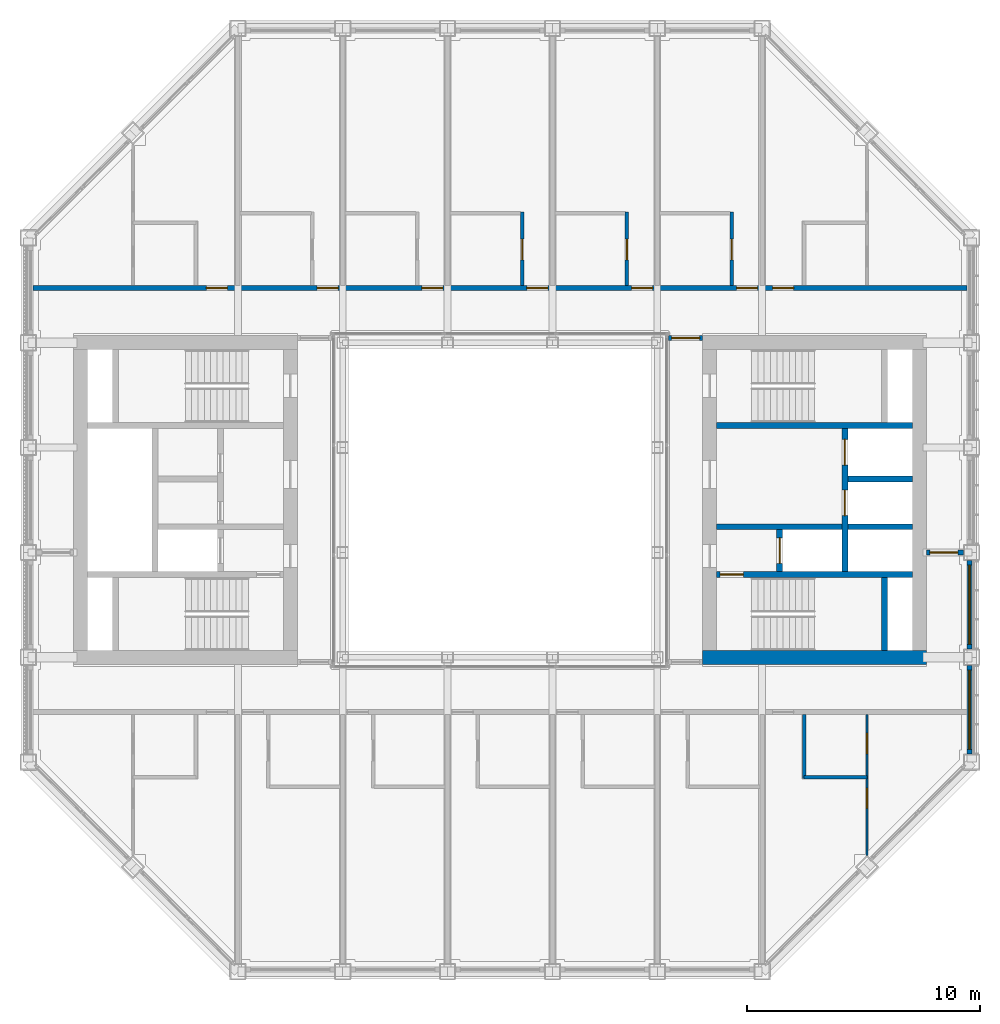
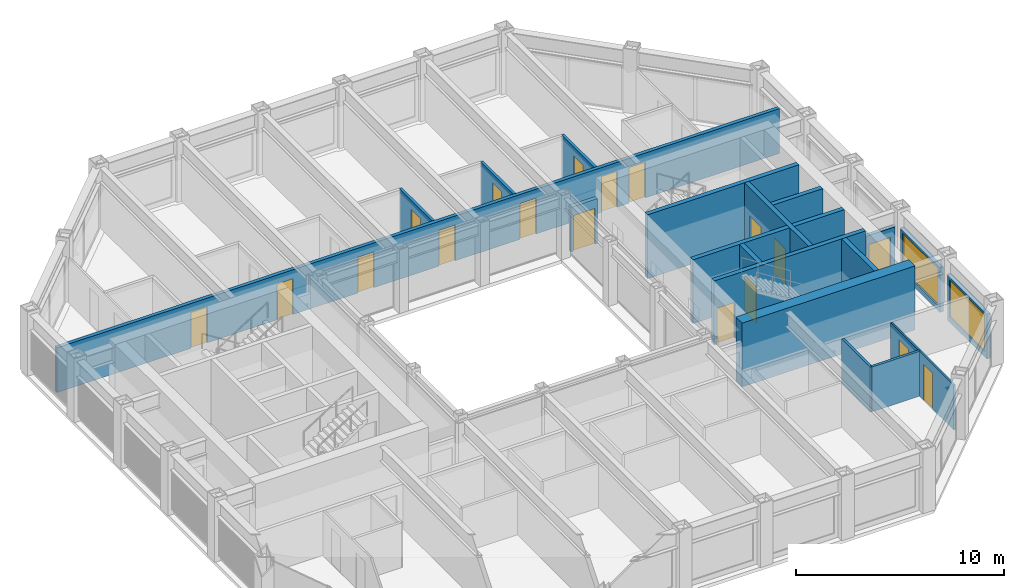
# One storey, part 11 of 18: 20 walls, 18 doors, 2 windows, 20 openings.
"""IFC4 building model written with IfcOpenShell, lengths in metres."""

from ifc_helpers import new_model, si_unit, direction, frame, frame_2d, origin, place, context, subcontext, project, spatial, rectangle, extrude, material, layer, layer_set, type_object, element, fill, save


model = new_model("IFC4")

# Units and contexts
model_context = context("Model", 3, precision=1e-05, world=origin(), true_north=direction((0.0, 1.0)))
body_context = subcontext(model_context, "Body", "Model", "MODEL_VIEW")
ifc_project = project(units=[si_unit("LENGTHUNIT", "METRE"), si_unit("AREAUNIT", "SQUARE_METRE"), si_unit("VOLUMEUNIT", "CUBIC_METRE"), si_unit("PLANEANGLEUNIT", "RADIAN"), si_unit("MASSUNIT", "GRAM", prefix="KILO")], contexts=[model_context])

# Site, building, storey
site_placement = place(None, origin())
site = spatial("IfcSite", under=ifc_project, at=site_placement, CompositionType="ELEMENT")
building_placement = place(site_placement, origin())
building = spatial("IfcBuilding", under=site, at=building_placement, Name="Msasa Ring Tower", CompositionType="ELEMENT")
storey_placement = place(building_placement, frame((0.0, 0.0, 204.550048828125)))
storey = spatial("IfcBuildingStorey", under=building, at=storey_placement, Name="L53", CompositionType="ELEMENT", Elevation=204.550048828125)

# Wall
ifc_material_1 = material(Name="Concrete C60/75", Category="concrete")
ifc_layer_1 = layer(ifc_material_1, 0.60009765625)
ifc_layer_set_1 = layer_set([ifc_layer_1], Name="CW3 CORE WALL 600")
wall_type_1 = type_object("IfcWallType", Name="CW3 CORE WALL 600", PredefinedType="SHEAR", material=ifc_layer_set_1)
wall_1_placement = place(storey_placement, frame((8.699951171875, -6.75, 0.0), z_axis=(0.0, 0.0, 1.0), x_axis=(1.0, 0.0, 0.0)))
element("IfcWall", 1, at=wall_1_placement, inside=storey, type_object=wall_type_1, Name="E core wall S L53", PredefinedType="SHEAR", context=body_context, shape_type="SweptSolid", body=[
    extrude(rectangle(XDim=9.60009765625, YDim=0.60009765625, at=frame_2d((4.800048828125, 0.0))), origin(), (0.0, 0.0, 1.0), 3.75),
])

# Wall, opening, door
ifc_material_2 = material(Name="Concrete C60/75", Category="concrete")
ifc_layer_2 = layer(ifc_material_2, 0.25)
ifc_layer_set_2 = layer_set([ifc_layer_2], Name="CW4 CORE INNER WALL 250")
wall_type_2 = type_object("IfcWallType", Name="CW4 CORE INNER WALL 250", PredefinedType="SHEAR", material=ifc_layer_set_2)
wall_2_placement = place(storey_placement, frame((9.300048828125, -3.199951171875, 0.0), z_axis=(0.0, 0.0, 1.0), x_axis=(1.0, 0.0, 0.0)))
wall_2 = element("IfcWall", 2, at=wall_2_placement, inside=storey, type_object=wall_type_2, Name="E core wall STAIRA L53", PredefinedType="SHEAR", context=body_context, shape_type="SweptSolid", body=[
    extrude(rectangle(XDim=8.39990234375, YDim=0.25, at=frame_2d((4.199951171875, 0.0))), origin(), (0.0, 0.0, 1.0), 3.75),
])
opening_1_placement = place(wall_2_placement, frame((0.14990234375, 0.0, 0.0)))
opening_1 = element("IfcOpeningElement", 3, at=opening_1_placement, cuts=wall_2, Name="Opening SA-030", PredefinedType="OPENING", context=body_context, shape_type="SweptSolid", body=[
    extrude(rectangle(XDim=1.0, YDim=2.10009765625, at=frame_2d((0.5, 1.050048828125))), frame((0.0, 0.135009765625, 0.0), z_axis=(0.0, -1.0, 0.0), x_axis=(1.0, 0.0, 0.0)), (0.0, 0.0, 1.0), 0.27001953125),
])
ifc_material_3 = material(Name="Timber door leaf in a steel frame", Category="steel")
door_type_1 = type_object("IfcDoorType", Name="D6 STAIR DOOR 1000x2100", OperationType="SINGLE_SWING_LEFT", PredefinedType="DOOR", material=ifc_material_3)
door_1_placement = place(opening_1_placement, origin())
door_1 = element("IfcDoor", 4, at=door_1_placement, inside=storey, type_object=door_type_1, Name="Door L53-ESTA", OperationType="SINGLE_SWING_LEFT", OverallHeight=2.10009765625, OverallWidth=1.0, PredefinedType="DOOR", context=body_context, shape_type="SweptSolid", body=[
    extrude(rectangle(XDim=1.0, YDim=2.10009765625, at=frame_2d((0.5, 1.050048828125))), frame((0.0, 0.02490234375, 0.0), z_axis=(0.0, -1.0, 0.0), x_axis=(1.0, 0.0, 0.0)), (0.0, 0.0, 1.0), 0.050048828125),
])
fill(opening_1, door_1)

# Walls
wall_3_placement = place(storey_placement, frame((9.300048828125, 3.199951171875, 0.0), z_axis=(0.0, 0.0, 1.0), x_axis=(1.0, 0.0, 0.0)))
element("IfcWall", 5, at=wall_3_placement, inside=storey, type_object=wall_type_2, Name="E core wall STAIRB L53", PredefinedType="SHEAR", context=body_context, shape_type="SweptSolid", body=[
    extrude(rectangle(XDim=8.39990234375, YDim=0.25, at=frame_2d((4.199951171875, 0.0))), origin(), (0.0, 0.0, 1.0), 3.75),
])
wall_4_placement = place(storey_placement, frame((16.5, -6.449951171875, 0.0), z_axis=(0.0, 0.0, 1.0), x_axis=(0.0, 1.0, 0.0)))
element("IfcWall", 6, at=wall_4_placement, inside=storey, type_object=wall_type_2, Name="E core wall RISERA L53", PredefinedType="SHEAR", context=body_context, shape_type="SweptSolid", body=[
    extrude(rectangle(XDim=3.125, YDim=0.25, at=frame_2d((1.5625, 0.0))), origin(), (0.0, 0.0, 1.0), 3.75),
])
wall_5_placement = place(storey_placement, frame((9.300048828125, -1.14990234375, 0.0), z_axis=(0.0, 0.0, 1.0), x_axis=(1.0, 0.0, 0.0)))
element("IfcWall", 7, at=wall_5_placement, inside=storey, type_object=wall_type_2, Name="E core wall FFL L53", PredefinedType="SHEAR", context=body_context, shape_type="SweptSolid", body=[
    extrude(rectangle(XDim=5.375, YDim=0.25, at=frame_2d((2.6875, 0.0))), origin(), (0.0, 0.0, 1.0), 3.75),
])

# Wall, opening, door
wall_6_placement = place(storey_placement, frame((12.0, -3.074951171875, 0.0), z_axis=(0.0, 0.0, 1.0), x_axis=(0.0, 1.0, 0.0)))
wall_6 = element("IfcWall", 8, at=wall_6_placement, inside=storey, type_object=wall_type_2, Name="E core wall LOBBY L53", PredefinedType="SHEAR", context=body_context, shape_type="SweptSolid", body=[
    extrude(rectangle(XDim=1.800048828125, YDim=0.25, at=frame_2d((0.89990234375, 0.0))), origin(), (0.0, 0.0, 1.0), 3.75),
])
opening_2_placement = place(wall_6_placement, frame((0.35009765625, 0.0, 0.0)))
opening_2 = element("IfcOpeningElement", 9, at=opening_2_placement, cuts=wall_6, Name="Opening LD1", PredefinedType="OPENING", context=body_context, shape_type="SweptSolid", body=[
    extrude(rectangle(XDim=1.10009765625, YDim=2.10009765625, at=frame_2d((0.550048828125, 1.050048828125))), frame((0.0, 0.135009765625, 0.0), z_axis=(0.0, -1.0, 0.0), x_axis=(1.0, 0.0, 0.0)), (0.0, 0.0, 1.0), 0.27001953125),
])
ifc_material_4 = material(Name="Stainless steel lift landing door", Category="steel")
door_type_2 = type_object("IfcDoorType", Name="LD1 LIFT LANDING DOOR 1100x2100", OperationType="DOUBLE_DOOR_SLIDING", PredefinedType="DOOR", material=ifc_material_4)
door_2_placement = place(opening_2_placement, origin())
door_2 = element("IfcDoor", 10, at=door_2_placement, inside=storey, type_object=door_type_2, Name="Lift landing door FL-E L53", OperationType="DOUBLE_DOOR_SLIDING", OverallHeight=2.10009765625, OverallWidth=1.10009765625, PredefinedType="DOOR", context=body_context, shape_type="SweptSolid", body=[
    extrude(rectangle(XDim=1.10009765625, YDim=2.10009765625, at=frame_2d((0.550048828125, 1.050048828125))), frame((0.0, 0.02490234375, 0.0), z_axis=(0.0, -1.0, 0.0), x_axis=(1.0, 0.0, 0.0)), (0.0, 0.0, 1.0), 0.050048828125),
])
fill(opening_2, door_2)

# Wall, openings, doors
wall_7_placement = place(storey_placement, frame((14.800048828125, -3.074951171875, 0.0), z_axis=(0.0, 0.0, 1.0), x_axis=(0.0, 1.0, 0.0)))
wall_7 = element("IfcWall", 11, at=wall_7_placement, inside=storey, type_object=wall_type_2, Name="E core wall SHAFT L53", PredefinedType="SHEAR", context=body_context, shape_type="SweptSolid", body=[
    extrude(rectangle(XDim=6.14990234375, YDim=0.25, at=frame_2d((3.074951171875, 0.0))), origin(), (0.0, 0.0, 1.0), 3.75),
])
opening_3_placement = place(wall_7_placement, frame((2.39990234375, 0.0, 0.0)))
opening_3 = element("IfcOpeningElement", 12, at=opening_3_placement, cuts=wall_7, Name="Opening LD1", PredefinedType="OPENING", context=body_context, shape_type="SweptSolid", body=[
    extrude(rectangle(XDim=1.10009765625, YDim=2.10009765625, at=frame_2d((0.550048828125, 1.050048828125))), frame((0.0, 0.135009765625, 0.0), z_axis=(0.0, -1.0, 0.0), x_axis=(1.0, 0.0, 0.0)), (0.0, 0.0, 1.0), 0.27001953125),
])
opening_4_placement = place(wall_7_placement, frame((4.574951171875, 0.0, 0.0)))
opening_4 = element("IfcOpeningElement", 13, at=opening_4_placement, cuts=wall_7, Name="Opening LD1", PredefinedType="OPENING", context=body_context, shape_type="SweptSolid", body=[
    extrude(rectangle(XDim=1.10009765625, YDim=2.10009765625, at=frame_2d((0.550048828125, 1.050048828125))), frame((0.0, 0.135009765625, 0.0), z_axis=(0.0, -1.0, 0.0), x_axis=(1.0, 0.0, 0.0)), (0.0, 0.0, 1.0), 0.27001953125),
])
door_3_placement = place(opening_3_placement, origin())
door_3 = element("IfcDoor", 14, at=door_3_placement, inside=storey, type_object=door_type_2, Name="Lift landing door PL-H1 L53", OperationType="DOUBLE_DOOR_SLIDING", OverallHeight=2.10009765625, OverallWidth=1.10009765625, PredefinedType="DOOR", context=body_context, shape_type="SweptSolid", body=[
    extrude(rectangle(XDim=1.10009765625, YDim=2.10009765625, at=frame_2d((0.550048828125, 1.050048828125))), frame((0.0, 0.02490234375, 0.0), z_axis=(0.0, -1.0, 0.0), x_axis=(1.0, 0.0, 0.0)), (0.0, 0.0, 1.0), 0.050048828125),
])
fill(opening_3, door_3)
door_4_placement = place(opening_4_placement, origin())
door_4 = element("IfcDoor", 15, at=door_4_placement, inside=storey, type_object=door_type_2, Name="Lift landing door PL-H2 L53", OperationType="DOUBLE_DOOR_SLIDING", OverallHeight=2.10009765625, OverallWidth=1.10009765625, PredefinedType="DOOR", context=body_context, shape_type="SweptSolid", body=[
    extrude(rectangle(XDim=1.10009765625, YDim=2.10009765625, at=frame_2d((0.550048828125, 1.050048828125))), frame((0.0, 0.02490234375, 0.0), z_axis=(0.0, -1.0, 0.0), x_axis=(1.0, 0.0, 0.0)), (0.0, 0.0, 1.0), 0.050048828125),
])
fill(opening_4, door_4)

# Walls
for number, where, z_axis, x_axis, name in (
    (16, (14.925048828125, -1.14990234375, 0.0), (0.0, 0.0, 1.0), (1.0, 0.0, 0.0), "E core wall HSEP L53"),
    (17, (14.925048828125, 0.89990234375, 0.0), (0.0, 0.0, 1.0), (1.0, 0.0, 0.0), "E core wall HLIFT L53"),
):
    element("IfcWall", number, at=place(storey_placement, frame(where, z_axis=z_axis, x_axis=x_axis)), inside=storey, type_object=wall_type_2, Name=name, PredefinedType="SHEAR", context=body_context, shape_type="SweptSolid", body=[
        extrude(rectangle(XDim=2.77490234375, YDim=0.25, at=frame_2d((1.387451171875, 0.0))), origin(), (0.0, 0.0, 1.0), 3.75),
    ])

# Wall, opening, window
ifc_material_5 = material(Name="Terracotta rainscreen on blockwork", Category="masonry")
ifc_layer_3 = layer(ifc_material_5, 0.199951171875)
ifc_layer_set_3 = layer_set([ifc_layer_3], Name="FW1 TERRACOTTA-LINED INFILL BAY WALL 200")
wall_type_3 = type_object("IfcWallType", Name="FW1 TERRACOTTA-LINED INFILL BAY WALL 200", PredefinedType="SOLIDWALL", material=ifc_layer_set_3)
wall_8_placement = place(storey_placement, frame((20.14990234375, -10.89501953125, 0.0), z_axis=(0.0, 0.0, 1.0), x_axis=(0.0, 1.0, 0.0)))
wall_8 = element("IfcWall", 18, at=wall_8_placement, inside=storey, type_object=wall_type_3, Name="Infill bay wall E L53 07", PredefinedType="SOLIDWALL", context=body_context, shape_type="SweptSolid", body=[
    extrude(rectangle(XDim=3.7900390625, YDim=0.199951171875, at=frame_2d((1.89501953125, 0.0))), origin(), (0.0, 0.0, 1.0), 2.62890625),
])
opening_5_placement = place(wall_8_placement, frame((0.195068359375, 0.0, 0.300048828125)))
opening_5 = element("IfcOpeningElement", 19, at=opening_5_placement, cuts=wall_8, Name="Opening WN3", PredefinedType="OPENING", context=body_context, shape_type="SweptSolid", body=[
    extrude(rectangle(XDim=3.39990234375, YDim=2.178955078125, at=frame_2d((1.699951171875, 1.08935546875))), frame((0.0, 0.10986328125, 0.0), z_axis=(0.0, -1.0, 0.0), x_axis=(1.0, 0.0, 0.0)), (0.0, 0.0, 1.0), 0.219970703125),
])
ifc_material_6 = material(Name="Aluminium frame with clear glass", Category="aluminium")
window_type = type_object("IfcWindowType", Name="WN3 SUITE WINDOW 3400x2179", PartitioningType="SINGLE_PANEL", PredefinedType="WINDOW", material=ifc_material_6)
window_1_placement = place(opening_5_placement, origin())
window_1 = element("IfcWindow", 20, at=window_1_placement, inside=storey, type_object=window_type, Name="Window E L53 07", OverallHeight=2.178955078125, OverallWidth=3.39990234375, PartitioningType="SINGLE_PANEL", PredefinedType="WINDOW", context=body_context, shape_type="SweptSolid", body=[
    extrude(rectangle(XDim=3.39990234375, YDim=2.178955078125, at=frame_2d((1.699951171875, 1.08935546875))), frame((0.0, 0.030029296875, 0.0), z_axis=(0.0, -1.0, 0.0), x_axis=(1.0, 0.0, 0.0)), (0.0, 0.0, 1.0), 0.06005859375),
])
fill(opening_5, window_1)

wall_9_placement = place(storey_placement, frame((20.14990234375, -6.39501953125, 0.0), z_axis=(0.0, 0.0, 1.0), x_axis=(0.0, 1.0, 0.0)))
wall_9 = element("IfcWall", 21, at=wall_9_placement, inside=storey, type_object=wall_type_3, Name="Infill bay wall E L53 08", PredefinedType="SOLIDWALL", context=body_context, shape_type="SweptSolid", body=[
    extrude(rectangle(XDim=3.7900390625, YDim=0.199951171875, at=frame_2d((1.89501953125, 0.0))), origin(), (0.0, 0.0, 1.0), 2.62890625),
])
opening_6_placement = place(wall_9_placement, frame((0.195068359375, 0.0, 0.300048828125)))
opening_6 = element("IfcOpeningElement", 22, at=opening_6_placement, cuts=wall_9, Name="Opening WN3", PredefinedType="OPENING", context=body_context, shape_type="SweptSolid", body=[
    extrude(rectangle(XDim=3.39990234375, YDim=2.178955078125, at=frame_2d((1.699951171875, 1.08935546875))), frame((0.0, 0.10986328125, 0.0), z_axis=(0.0, -1.0, 0.0), x_axis=(1.0, 0.0, 0.0)), (0.0, 0.0, 1.0), 0.219970703125),
])
window_2_placement = place(opening_6_placement, origin())
window_2 = element("IfcWindow", 23, at=window_2_placement, inside=storey, type_object=window_type, Name="Window E L53 08", OverallHeight=2.178955078125, OverallWidth=3.39990234375, PartitioningType="SINGLE_PANEL", PredefinedType="WINDOW", context=body_context, shape_type="SweptSolid", body=[
    extrude(rectangle(XDim=3.39990234375, YDim=2.178955078125, at=frame_2d((1.699951171875, 1.08935546875))), frame((0.0, 0.030029296875, 0.0), z_axis=(0.0, -1.0, 0.0), x_axis=(1.0, 0.0, 0.0)), (0.0, 0.0, 1.0), 0.06005859375),
])
fill(opening_6, window_2)

# Wall, opening, door
ifc_material_7 = material(Name="Concrete blockwork", Category="masonry")
ifc_layer_4 = layer(ifc_material_7, 0.199951171875)
ifc_layer_set_4 = layer_set([ifc_layer_4], Name="PT1 CORRIDOR WALL 200")
wall_type_4 = type_object("IfcWallType", Name="PT1 CORRIDOR WALL 200", PredefinedType="PARTITIONING", material=ifc_layer_set_4)
wall_10_placement = place(storey_placement, frame((18.300048828125, -2.25, 0.0), z_axis=(0.0, 0.0, 1.0), x_axis=(1.0, 0.0, 0.0)))
wall_10 = element("IfcWall", 24, at=wall_10_placement, inside=storey, type_object=wall_type_4, Name="Corridor wall L53-WSE", PredefinedType="PARTITIONING", context=body_context, shape_type="SweptSolid", body=[
    extrude(rectangle(XDim=1.599853515625, YDim=0.199951171875, at=frame_2d((0.7998046875, 0.0))), origin(), (0.0, 0.0, 1.0), 2.62890625),
])
opening_7_placement = place(wall_10_placement, frame((0.14990234375, 0.0, 0.0)))
opening_7 = element("IfcOpeningElement", 25, at=opening_7_placement, cuts=wall_10, Name="Opening SA-026", PredefinedType="OPENING", context=body_context, shape_type="SweptSolid", body=[
    extrude(rectangle(XDim=1.199951171875, YDim=2.10009765625, at=frame_2d((0.60009765625, 1.050048828125))), frame((0.0, 0.10986328125, 0.0), z_axis=(0.0, -1.0, 0.0), x_axis=(1.0, 0.0, 0.0)), (0.0, 0.0, 1.0), 0.219970703125),
])
ifc_material_8 = material(Name="Timber door leaf in a steel frame", Category="steel")
door_type_3 = type_object("IfcDoorType", Name="D25 CORRIDOR PAIR OF SMOKE DOORS 1200x2100", OperationType="DOUBLE_DOOR_DOUBLE_SWING", PredefinedType="DOOR", material=ifc_material_8)
door_5_placement = place(opening_7_placement, origin())
door_5 = element("IfcDoor", 26, at=door_5_placement, inside=storey, type_object=door_type_3, Name="Door L53-WSE", OperationType="DOUBLE_DOOR_DOUBLE_SWING", OverallHeight=2.10009765625, OverallWidth=1.199951171875, PredefinedType="DOOR", context=body_context, shape_type="SweptSolid", body=[
    extrude(rectangle(XDim=1.199951171875, YDim=2.10009765625, at=frame_2d((0.60009765625, 1.050048828125))), frame((0.0, 0.02490234375, 0.0), z_axis=(0.0, -1.0, 0.0), x_axis=(1.0, 0.0, 0.0)), (0.0, 0.0, 1.0), 0.050048828125),
])
fill(opening_7, door_5)

wall_11_placement = place(storey_placement, frame((7.22998046875, 6.949951171875, 0.0), z_axis=(0.0, 0.0, 1.0), x_axis=(1.0, 0.0, 0.0)))
wall_11 = element("IfcWall", 27, at=wall_11_placement, inside=storey, type_object=wall_type_4, Name="Corridor wall L53-SDEN", PredefinedType="PARTITIONING", context=body_context, shape_type="SweptSolid", body=[
    extrude(rectangle(XDim=1.469970703125, YDim=0.199951171875, at=frame_2d((0.73486328125, 0.0))), origin(), (0.0, 0.0, 1.0), 2.62890625),
])
opening_8_placement = place(wall_11_placement, frame((0.135009765625, 0.0, 0.0)))
opening_8 = element("IfcOpeningElement", 28, at=opening_8_placement, cuts=wall_11, Name="Opening SA-018", PredefinedType="OPENING", context=body_context, shape_type="SweptSolid", body=[
    extrude(rectangle(XDim=1.199951171875, YDim=2.10009765625, at=frame_2d((0.60009765625, 1.050048828125))), frame((0.0, 0.10986328125, 0.0), z_axis=(0.0, -1.0, 0.0), x_axis=(1.0, 0.0, 0.0)), (0.0, 0.0, 1.0), 0.219970703125),
])
door_6_placement = place(opening_8_placement, origin())
door_6 = element("IfcDoor", 29, at=door_6_placement, inside=storey, type_object=door_type_3, Name="Door L53-SDEN", OperationType="DOUBLE_DOOR_DOUBLE_SWING", OverallHeight=2.10009765625, OverallWidth=1.199951171875, PredefinedType="DOOR", context=body_context, shape_type="SweptSolid", body=[
    extrude(rectangle(XDim=1.199951171875, YDim=2.10009765625, at=frame_2d((0.60009765625, 1.050048828125))), frame((0.0, 0.02490234375, 0.0), z_axis=(0.0, -1.0, 0.0), x_axis=(1.0, 0.0, 0.0)), (0.0, 0.0, 1.0), 0.050048828125),
])
fill(opening_8, door_6)

# Wall, openings, doors
wall_12_placement = place(storey_placement, frame((-20.050048828125, 9.10009765625, 0.0), z_axis=(0.0, 0.0, 1.0), x_axis=(1.0, 0.0, 0.0)))
wall_12 = element("IfcWall", 30, at=wall_12_placement, inside=storey, type_object=wall_type_4, Name="Corridor wall L53-CORRN0", PredefinedType="PARTITIONING", context=body_context, shape_type="SweptSolid", body=[
    extrude(rectangle(XDim=40.10009765625, YDim=0.199951171875, at=frame_2d((20.050048828125, 0.0))), origin(), (0.0, 0.0, 1.0), 2.62890625),
])
opening_9_placement = place(wall_12_placement, frame((12.199951171875, 0.0, 0.0)))
opening_9 = element("IfcOpeningElement", 31, at=opening_9_placement, cuts=wall_12, Name="Opening SA-011", PredefinedType="OPENING", context=body_context, shape_type="SweptSolid", body=[
    extrude(rectangle(XDim=0.89990234375, YDim=2.10009765625, at=frame_2d((0.449951171875, 1.050048828125))), frame((0.0, 0.10986328125, 0.0), z_axis=(0.0, -1.0, 0.0), x_axis=(1.0, 0.0, 0.0)), (0.0, 0.0, 1.0), 0.219970703125),
])
opening_10_placement = place(wall_12_placement, frame((16.699951171875, 0.0, 0.0)))
opening_10 = element("IfcOpeningElement", 32, at=opening_10_placement, cuts=wall_12, Name="Opening SA-012", PredefinedType="OPENING", context=body_context, shape_type="SweptSolid", body=[
    extrude(rectangle(XDim=0.89990234375, YDim=2.10009765625, at=frame_2d((0.449951171875, 1.050048828125))), frame((0.0, 0.10986328125, 0.0), z_axis=(0.0, -1.0, 0.0), x_axis=(1.0, 0.0, 0.0)), (0.0, 0.0, 1.0), 0.219970703125),
])
opening_11_placement = place(wall_12_placement, frame((21.199951171875, 0.0, 0.0)))
opening_11 = element("IfcOpeningElement", 33, at=opening_11_placement, cuts=wall_12, Name="Opening SA-013", PredefinedType="OPENING", context=body_context, shape_type="SweptSolid", body=[
    extrude(rectangle(XDim=0.89990234375, YDim=2.10009765625, at=frame_2d((0.449951171875, 1.050048828125))), frame((0.0, 0.10986328125, 0.0), z_axis=(0.0, -1.0, 0.0), x_axis=(1.0, 0.0, 0.0)), (0.0, 0.0, 1.0), 0.219970703125),
])
opening_12_placement = place(wall_12_placement, frame((25.699951171875, 0.0, 0.0)))
opening_12 = element("IfcOpeningElement", 34, at=opening_12_placement, cuts=wall_12, Name="Opening SA-014", PredefinedType="OPENING", context=body_context, shape_type="SweptSolid", body=[
    extrude(rectangle(XDim=0.89990234375, YDim=2.10009765625, at=frame_2d((0.449951171875, 1.050048828125))), frame((0.0, 0.10986328125, 0.0), z_axis=(0.0, -1.0, 0.0), x_axis=(1.0, 0.0, 0.0)), (0.0, 0.0, 1.0), 0.219970703125),
])
opening_13_placement = place(wall_12_placement, frame((30.199951171875, 0.0, 0.0)))
opening_13 = element("IfcOpeningElement", 35, at=opening_13_placement, cuts=wall_12, Name="Opening SA-015", PredefinedType="OPENING", context=body_context, shape_type="SweptSolid", body=[
    extrude(rectangle(XDim=0.89990234375, YDim=2.10009765625, at=frame_2d((0.449951171875, 1.050048828125))), frame((0.0, 0.10986328125, 0.0), z_axis=(0.0, -1.0, 0.0), x_axis=(1.0, 0.0, 0.0)), (0.0, 0.0, 1.0), 0.219970703125),
])
opening_14_placement = place(wall_12_placement, frame((31.75, 0.0, 0.0)))
opening_14 = element("IfcOpeningElement", 36, at=opening_14_placement, cuts=wall_12, Name="Opening SA-016", PredefinedType="OPENING", context=body_context, shape_type="SweptSolid", body=[
    extrude(rectangle(XDim=0.89990234375, YDim=2.10009765625, at=frame_2d((0.449951171875, 1.050048828125))), frame((0.0, 0.10986328125, 0.0), z_axis=(0.0, -1.0, 0.0), x_axis=(1.0, 0.0, 0.0)), (0.0, 0.0, 1.0), 0.219970703125),
])
opening_15_placement = place(wall_12_placement, frame((7.449951171875, 0.0, 0.0)))
opening_15 = element("IfcOpeningElement", 37, at=opening_15_placement, cuts=wall_12, Name="Opening SA-010", PredefinedType="OPENING", context=body_context, shape_type="SweptSolid", body=[
    extrude(rectangle(XDim=0.89990234375, YDim=2.10009765625, at=frame_2d((0.449951171875, 1.050048828125))), frame((0.0, 0.10986328125, 0.0), z_axis=(0.0, -1.0, 0.0), x_axis=(1.0, 0.0, 0.0)), (0.0, 0.0, 1.0), 0.219970703125),
])
ifc_material_9 = material(Name="Timber door leaf in a steel frame", Category="steel")
door_type_4 = type_object("IfcDoorType", Name="D1 SINGLE DOOR TO CORRIDOR 900x2100", OperationType="SINGLE_SWING_LEFT", PredefinedType="DOOR", material=ifc_material_9)
door_7_placement = place(opening_9_placement, origin())
door_7 = element("IfcDoor", 38, at=door_7_placement, inside=storey, type_object=door_type_4, Name="Door L53-JN00", OperationType="SINGLE_SWING_LEFT", OverallHeight=2.10009765625, OverallWidth=0.89990234375, PredefinedType="DOOR", context=body_context, shape_type="SweptSolid", body=[
    extrude(rectangle(XDim=0.89990234375, YDim=2.10009765625, at=frame_2d((0.449951171875, 1.050048828125))), frame((0.0, 0.02490234375, 0.0), z_axis=(0.0, -1.0, 0.0), x_axis=(1.0, 0.0, 0.0)), (0.0, 0.0, 1.0), 0.050048828125),
])
fill(opening_9, door_7)
door_8_placement = place(opening_10_placement, origin())
door_8 = element("IfcDoor", 39, at=door_8_placement, inside=storey, type_object=door_type_4, Name="Door L53-JN01", OperationType="SINGLE_SWING_LEFT", OverallHeight=2.10009765625, OverallWidth=0.89990234375, PredefinedType="DOOR", context=body_context, shape_type="SweptSolid", body=[
    extrude(rectangle(XDim=0.89990234375, YDim=2.10009765625, at=frame_2d((0.449951171875, 1.050048828125))), frame((0.0, 0.02490234375, 0.0), z_axis=(0.0, -1.0, 0.0), x_axis=(1.0, 0.0, 0.0)), (0.0, 0.0, 1.0), 0.050048828125),
])
fill(opening_10, door_8)
door_9_placement = place(opening_11_placement, origin())
door_9 = element("IfcDoor", 40, at=door_9_placement, inside=storey, type_object=door_type_4, Name="Door L53-JN02", OperationType="SINGLE_SWING_RIGHT", OverallHeight=2.10009765625, OverallWidth=0.89990234375, PredefinedType="DOOR", context=body_context, shape_type="SweptSolid", body=[
    extrude(rectangle(XDim=0.89990234375, YDim=2.10009765625, at=frame_2d((0.449951171875, 1.050048828125))), frame((0.0, 0.02490234375, 0.0), z_axis=(0.0, -1.0, 0.0), x_axis=(1.0, 0.0, 0.0)), (0.0, 0.0, 1.0), 0.050048828125),
])
fill(opening_11, door_9)
door_10_placement = place(opening_12_placement, origin())
door_10 = element("IfcDoor", 41, at=door_10_placement, inside=storey, type_object=door_type_4, Name="Door L53-JN03", OperationType="SINGLE_SWING_RIGHT", OverallHeight=2.10009765625, OverallWidth=0.89990234375, PredefinedType="DOOR", context=body_context, shape_type="SweptSolid", body=[
    extrude(rectangle(XDim=0.89990234375, YDim=2.10009765625, at=frame_2d((0.449951171875, 1.050048828125))), frame((0.0, 0.02490234375, 0.0), z_axis=(0.0, -1.0, 0.0), x_axis=(1.0, 0.0, 0.0)), (0.0, 0.0, 1.0), 0.050048828125),
])
fill(opening_12, door_10)
door_11_placement = place(opening_13_placement, origin())
door_11 = element("IfcDoor", 42, at=door_11_placement, inside=storey, type_object=door_type_4, Name="Door L53-JN04", OperationType="SINGLE_SWING_RIGHT", OverallHeight=2.10009765625, OverallWidth=0.89990234375, PredefinedType="DOOR", context=body_context, shape_type="SweptSolid", body=[
    extrude(rectangle(XDim=0.89990234375, YDim=2.10009765625, at=frame_2d((0.449951171875, 1.050048828125))), frame((0.0, 0.02490234375, 0.0), z_axis=(0.0, -1.0, 0.0), x_axis=(1.0, 0.0, 0.0)), (0.0, 0.0, 1.0), 0.050048828125),
])
fill(opening_13, door_11)
ifc_material_10 = material(Name="Timber door leaf in a steel frame", Category="steel")
door_type_5 = type_object("IfcDoorType", Name="D2 ENTRANCE DOOR 900x2100", OperationType="SINGLE_SWING_LEFT", PredefinedType="DOOR", material=ifc_material_10)
door_12_placement = place(opening_14_placement, origin())
door_12 = element("IfcDoor", 43, at=door_12_placement, inside=storey, type_object=door_type_5, Name="Door L53-CSNE", OperationType="SINGLE_SWING_RIGHT", OverallHeight=2.10009765625, OverallWidth=0.89990234375, PredefinedType="DOOR", context=body_context, shape_type="SweptSolid", body=[
    extrude(rectangle(XDim=0.89990234375, YDim=2.10009765625, at=frame_2d((0.449951171875, 1.050048828125))), frame((0.0, 0.02490234375, 0.0), z_axis=(0.0, -1.0, 0.0), x_axis=(1.0, 0.0, 0.0)), (0.0, 0.0, 1.0), 0.050048828125),
])
fill(opening_14, door_12)
door_13_placement = place(opening_15_placement, origin())
door_13 = element("IfcDoor", 44, at=door_13_placement, inside=storey, type_object=door_type_5, Name="Door L53-CSNW", OperationType="SINGLE_SWING_LEFT", OverallHeight=2.10009765625, OverallWidth=0.89990234375, PredefinedType="DOOR", context=body_context, shape_type="SweptSolid", body=[
    extrude(rectangle(XDim=0.89990234375, YDim=2.10009765625, at=frame_2d((0.449951171875, 1.050048828125))), frame((0.0, 0.02490234375, 0.0), z_axis=(0.0, -1.0, 0.0), x_axis=(1.0, 0.0, 0.0)), (0.0, 0.0, 1.0), 0.050048828125),
])
fill(opening_15, door_13)

ifc_material_11 = material(Name="Gypsum board on steel studs", Category="steel")
ifc_layer_5 = layer(ifc_material_11, 0.10009765625)
ifc_layer_set_5 = layer_set([ifc_layer_5], Name="PT2 STUD PARTITION 100")
wall_type_5 = type_object("IfcWallType", Name="PT2 STUD PARTITION 100", PredefinedType="PARTITIONING", material=ifc_layer_set_5)
wall_13_placement = place(storey_placement, frame((15.75, -15.2548828125, 0.0), z_axis=(0.0, 0.0, 1.0), x_axis=(0.0, 1.0, 0.0)))
wall_13 = element("IfcWall", 45, at=wall_13_placement, inside=storey, type_object=wall_type_5, Name="Partition L53-CSSEP1", PredefinedType="PARTITIONING", context=body_context, shape_type="SweptSolid", body=[
    extrude(rectangle(XDim=6.054931640625, YDim=0.10009765625, at=frame_2d((3.02734375, 0.0))), origin(), (0.0, 0.0, 1.0), 2.62890625),
])
opening_16_placement = place(wall_13_placement, frame((2.030029296875, 0.0, 0.0)))
opening_16 = element("IfcOpeningElement", 46, at=opening_16_placement, cuts=wall_13, Name="Opening SA-048", PredefinedType="OPENING", context=body_context, shape_type="SweptSolid", body=[
    extrude(rectangle(XDim=0.85009765625, YDim=2.10009765625, at=frame_2d((0.425048828125, 1.050048828125))), frame((0.0, 0.06005859375, 0.0), z_axis=(0.0, -1.0, 0.0), x_axis=(1.0, 0.0, 0.0)), (0.0, 0.0, 1.0), 0.1201171875),
])
opening_17_placement = place(wall_13_placement, frame((4.35498046875, 0.0, 0.0)))
opening_17 = element("IfcOpeningElement", 47, at=opening_17_placement, cuts=wall_13, Name="Opening SA-041", PredefinedType="OPENING", context=body_context, shape_type="SweptSolid", body=[
    extrude(rectangle(XDim=0.89990234375, YDim=2.10009765625, at=frame_2d((0.449951171875, 1.050048828125))), frame((0.0, 0.06005859375, 0.0), z_axis=(0.0, -1.0, 0.0), x_axis=(1.0, 0.0, 0.0)), (0.0, 0.0, 1.0), 0.1201171875),
])
ifc_material_12 = material(Name="Timber door leaf in a steel frame", Category="steel")
door_type_6 = type_object("IfcDoorType", Name="D14 BEDROOM DOOR 850x2100", OperationType="SINGLE_SWING_LEFT", PredefinedType="DOOR", material=ifc_material_12)
door_14_placement = place(opening_16_placement, origin())
door_14 = element("IfcDoor", 48, at=door_14_placement, inside=storey, type_object=door_type_6, Name="Door L53-CSSER1", OperationType="SINGLE_SWING_LEFT", OverallHeight=2.10009765625, OverallWidth=0.85009765625, PredefinedType="DOOR", context=body_context, shape_type="SweptSolid", body=[
    extrude(rectangle(XDim=0.85009765625, YDim=2.10009765625, at=frame_2d((0.425048828125, 1.050048828125))), frame((0.0, 0.02490234375, 0.0), z_axis=(0.0, -1.0, 0.0), x_axis=(1.0, 0.0, 0.0)), (0.0, 0.0, 1.0), 0.050048828125),
])
fill(opening_16, door_14)
ifc_material_13 = material(Name="Timber door leaf in a steel frame", Category="steel")
door_type_7 = type_object("IfcDoorType", Name="D3 BATHROOM DOOR 900x2100", OperationType="SINGLE_SWING_LEFT", PredefinedType="DOOR", material=ifc_material_13)
door_15_placement = place(opening_17_placement, origin())
door_15 = element("IfcDoor", 49, at=door_15_placement, inside=storey, type_object=door_type_7, Name="Door L53-CSSEB1", OperationType="SINGLE_SWING_RIGHT", OverallHeight=2.10009765625, OverallWidth=0.89990234375, PredefinedType="DOOR", context=body_context, shape_type="SweptSolid", body=[
    extrude(rectangle(XDim=0.89990234375, YDim=2.10009765625, at=frame_2d((0.449951171875, 1.050048828125))), frame((0.0, 0.02490234375, 0.0), z_axis=(0.0, -1.0, 0.0), x_axis=(1.0, 0.0, 0.0)), (0.0, 0.0, 1.0), 0.050048828125),
])
fill(opening_17, door_15)

# Wall, opening, door
ifc_material_14 = material(Name="Moisture-resistant board on steel studs with a concealed cistern and pipe void, tiled", Category="steel")
ifc_layer_6 = layer(ifc_material_14, 0.14990234375)
ifc_layer_set_6 = layer_set([ifc_layer_6], Name="PT4 BATHROOM WET WALL 150")
wall_type_6 = type_object("IfcWallType", Name="PT4 BATHROOM WET WALL 150", PredefinedType="PARTITIONING", material=ifc_layer_set_6)
wall_14_placement = place(storey_placement, frame((0.949951171875, 9.199951171875, 0.0), z_axis=(0.0, 0.0, 1.0), x_axis=(0.0, 1.0, 0.0)))
wall_14 = element("IfcWall", 50, at=wall_14_placement, inside=storey, type_object=wall_type_6, Name="Partition L53-JN02BX", PredefinedType="PARTITIONING", context=body_context, shape_type="SweptSolid", body=[
    extrude(rectangle(XDim=3.150146484375, YDim=0.14990234375, at=frame_2d((1.5751953125, 0.0))), origin(), (0.0, 0.0, 1.0), 2.62890625),
])
opening_18_placement = place(wall_14_placement, frame((1.10009765625, 0.0, 0.0)))
opening_18 = element("IfcOpeningElement", 51, at=opening_18_placement, cuts=wall_14, Name="Opening SA-005", PredefinedType="OPENING", context=body_context, shape_type="SweptSolid", body=[
    extrude(rectangle(XDim=0.89990234375, YDim=2.10009765625, at=frame_2d((0.449951171875, 1.050048828125))), frame((0.0, 0.0849609375, 0.0), z_axis=(0.0, -1.0, 0.0), x_axis=(1.0, 0.0, 0.0)), (0.0, 0.0, 1.0), 0.169921875),
])
door_16_placement = place(opening_18_placement, origin())
door_16 = element("IfcDoor", 52, at=door_16_placement, inside=storey, type_object=door_type_7, Name="Door L53-JN02B", OperationType="SINGLE_SWING_LEFT", OverallHeight=2.10009765625, OverallWidth=0.89990234375, PredefinedType="DOOR", context=body_context, shape_type="SweptSolid", body=[
    extrude(rectangle(XDim=0.89990234375, YDim=2.10009765625, at=frame_2d((0.449951171875, 1.050048828125))), frame((0.0, 0.02490234375, 0.0), z_axis=(0.0, -1.0, 0.0), x_axis=(1.0, 0.0, 0.0)), (0.0, 0.0, 1.0), 0.050048828125),
])
fill(opening_18, door_16)

wall_15_placement = place(storey_placement, frame((5.449951171875, 9.199951171875, 0.0), z_axis=(0.0, 0.0, 1.0), x_axis=(0.0, 1.0, 0.0)))
wall_15 = element("IfcWall", 53, at=wall_15_placement, inside=storey, type_object=wall_type_6, Name="Partition L53-JN03BX", PredefinedType="PARTITIONING", context=body_context, shape_type="SweptSolid", body=[
    extrude(rectangle(XDim=3.150146484375, YDim=0.14990234375, at=frame_2d((1.5751953125, 0.0))), origin(), (0.0, 0.0, 1.0), 2.62890625),
])
opening_19_placement = place(wall_15_placement, frame((1.10009765625, 0.0, 0.0)))
opening_19 = element("IfcOpeningElement", 54, at=opening_19_placement, cuts=wall_15, Name="Opening SA-006", PredefinedType="OPENING", context=body_context, shape_type="SweptSolid", body=[
    extrude(rectangle(XDim=0.89990234375, YDim=2.10009765625, at=frame_2d((0.449951171875, 1.050048828125))), frame((0.0, 0.0849609375, 0.0), z_axis=(0.0, -1.0, 0.0), x_axis=(1.0, 0.0, 0.0)), (0.0, 0.0, 1.0), 0.169921875),
])
door_17_placement = place(opening_19_placement, origin())
door_17 = element("IfcDoor", 55, at=door_17_placement, inside=storey, type_object=door_type_7, Name="Door L53-JN03B", OperationType="SINGLE_SWING_LEFT", OverallHeight=2.10009765625, OverallWidth=0.89990234375, PredefinedType="DOOR", context=body_context, shape_type="SweptSolid", body=[
    extrude(rectangle(XDim=0.89990234375, YDim=2.10009765625, at=frame_2d((0.449951171875, 1.050048828125))), frame((0.0, 0.02490234375, 0.0), z_axis=(0.0, -1.0, 0.0), x_axis=(1.0, 0.0, 0.0)), (0.0, 0.0, 1.0), 0.050048828125),
])
fill(opening_19, door_17)

wall_16_placement = place(storey_placement, frame((9.949951171875, 9.199951171875, 0.0), z_axis=(0.0, 0.0, 1.0), x_axis=(0.0, 1.0, 0.0)))
wall_16 = element("IfcWall", 56, at=wall_16_placement, inside=storey, type_object=wall_type_6, Name="Partition L53-JN04BX", PredefinedType="PARTITIONING", context=body_context, shape_type="SweptSolid", body=[
    extrude(rectangle(XDim=3.150146484375, YDim=0.14990234375, at=frame_2d((1.5751953125, 0.0))), origin(), (0.0, 0.0, 1.0), 2.62890625),
])
opening_20_placement = place(wall_16_placement, frame((1.10009765625, 0.0, 0.0)))
opening_20 = element("IfcOpeningElement", 57, at=opening_20_placement, cuts=wall_16, Name="Opening SA-007", PredefinedType="OPENING", context=body_context, shape_type="SweptSolid", body=[
    extrude(rectangle(XDim=0.89990234375, YDim=2.10009765625, at=frame_2d((0.449951171875, 1.050048828125))), frame((0.0, 0.0849609375, 0.0), z_axis=(0.0, -1.0, 0.0), x_axis=(1.0, 0.0, 0.0)), (0.0, 0.0, 1.0), 0.169921875),
])
door_18_placement = place(opening_20_placement, origin())
door_18 = element("IfcDoor", 58, at=door_18_placement, inside=storey, type_object=door_type_7, Name="Door L53-JN04B", OperationType="SINGLE_SWING_LEFT", OverallHeight=2.10009765625, OverallWidth=0.89990234375, PredefinedType="DOOR", context=body_context, shape_type="SweptSolid", body=[
    extrude(rectangle(XDim=0.89990234375, YDim=2.10009765625, at=frame_2d((0.449951171875, 1.050048828125))), frame((0.0, 0.02490234375, 0.0), z_axis=(0.0, -1.0, 0.0), x_axis=(1.0, 0.0, 0.0)), (0.0, 0.0, 1.0), 0.050048828125),
])
fill(opening_20, door_18)

# Walls
wall_17_placement = place(storey_placement, frame((13.050048828125, -11.949951171875, 0.0), z_axis=(0.0, 0.0, 1.0), x_axis=(0.0, 1.0, 0.0)))
element("IfcWall", 59, at=wall_17_placement, inside=storey, type_object=wall_type_6, Name="Partition L53-CSSEBX", PredefinedType="PARTITIONING", context=body_context, shape_type="SweptSolid", body=[
    extrude(rectangle(XDim=2.75, YDim=0.14990234375, at=frame_2d((1.375, 0.0))), origin(), (0.0, 0.0, 1.0), 2.62890625),
])
wall_18_placement = place(storey_placement, frame((13.050048828125, -11.89990234375, 0.0), z_axis=(0.0, 0.0, 1.0), x_axis=(1.0, 0.0, 0.0)))
element("IfcWall", 60, at=wall_18_placement, inside=storey, type_object=wall_type_6, Name="Partition L53-CSSEBY", PredefinedType="PARTITIONING", context=body_context, shape_type="SweptSolid", body=[
    extrude(rectangle(XDim=2.699951171875, YDim=0.14990234375, at=frame_2d((1.35009765625, 0.0))), origin(), (0.0, 0.0, 1.0), 2.62890625),
])

save(model, "model.ifc")
